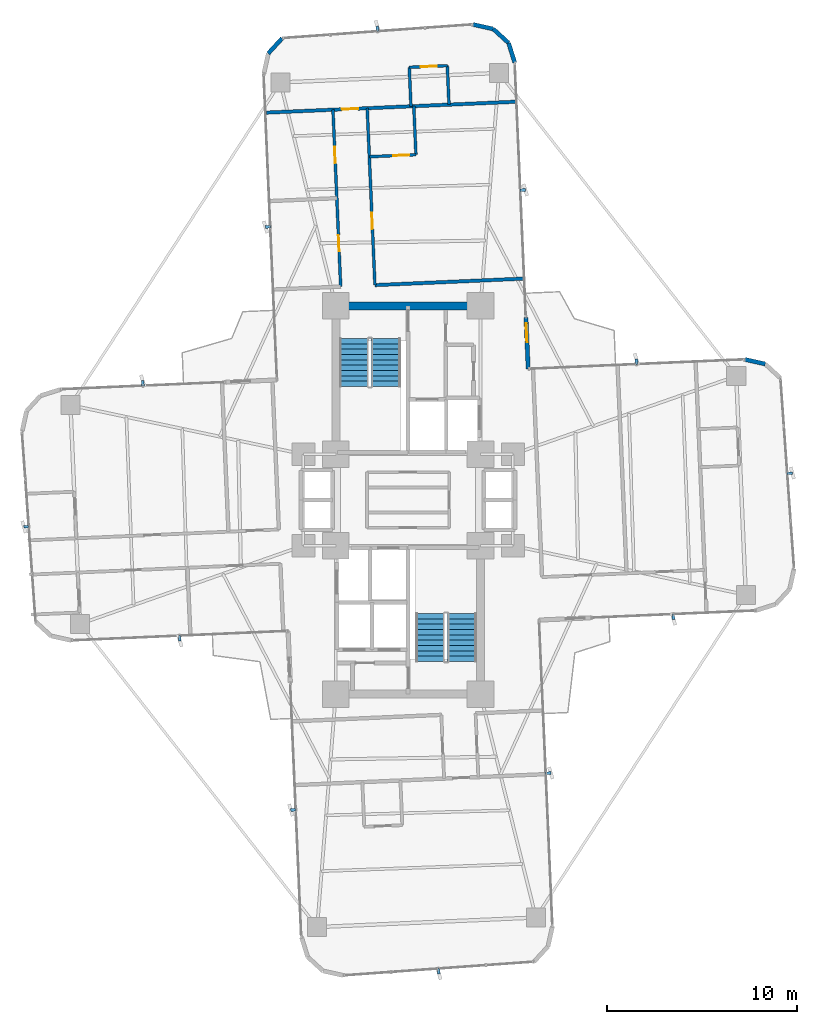
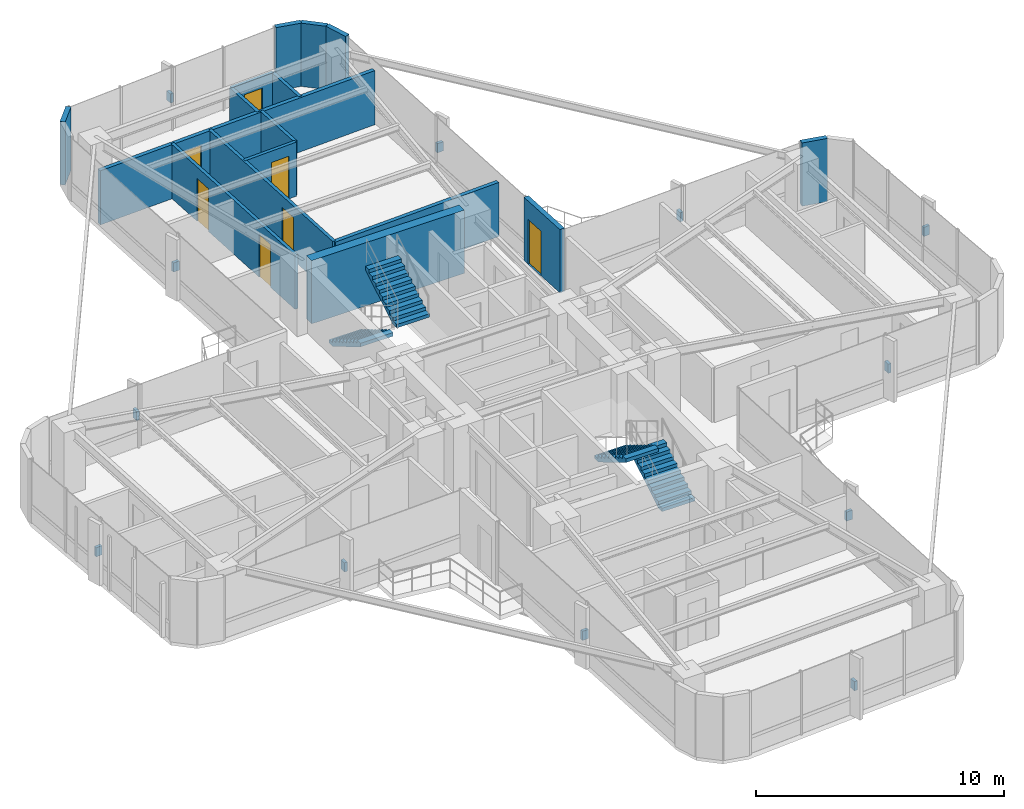
# One storey, part 25 of 26: 16 walls, 12 discrete accessories, 7 doors, 4 stair flights, 7 openings, 2 elements without a shape of their own.
"""IFC4 building model written with IfcOpenShell, lengths in metres."""

from ifc_helpers import new_model, si_unit, direction, frame, frame_2d, origin, origin_2d, place, context, subcontext, project, spatial, polyline, rectangle, outline, extrude, source, transform, mapped, material, layer, layer_set, type_object, element, fill, aggregate, save


model = new_model("IFC4")

# Units and contexts
model_context = context("Model", 3, precision=1e-05, world=origin(), true_north=direction((0.0, 1.0)))
body_context = subcontext(model_context, "Body", "Model", "MODEL_VIEW")
ifc_project = project(units=[si_unit("LENGTHUNIT", "METRE"), si_unit("AREAUNIT", "SQUARE_METRE"), si_unit("VOLUMEUNIT", "CUBIC_METRE"), si_unit("PLANEANGLEUNIT", "RADIAN"), si_unit("MASSUNIT", "GRAM", prefix="KILO")], contexts=[model_context])

# Site, building, storey
site_placement = place(None, origin())
site = spatial("IfcSite", under=ifc_project, at=site_placement, CompositionType="ELEMENT")
building_placement = place(site_placement, origin())
building = spatial("IfcBuilding", under=site, at=building_placement, Name="Sahyath Konkavel Grand Hotel", CompositionType="ELEMENT")
storey_placement = place(building_placement, frame((0.0, 0.0, 124.85009765625)))
storey = spatial("IfcBuildingStorey", under=building, at=storey_placement, Name="L34", CompositionType="ELEMENT", Elevation=124.85009765625)

# Walls
ifc_material_1 = material(Name="Concrete C50/60", Category="concrete")
ifc_layer_1 = layer(ifc_material_1, 0.419921875)
ifc_layer_set_1 = layer_set([ifc_layer_1], Name="Concrete C50/60")
wall_type_1 = type_object("IfcWallType", Name="CWALL-420", PredefinedType="SHEAR", material=ifc_layer_set_1)
wall_1_placement = place(storey_placement, frame((-3.550048828125, 10.199951171875, 0.0), z_axis=(0.0, 0.0, 1.0), x_axis=(1.0, 0.0, 0.0)))
element("IfcWall", 1, at=wall_1_placement, inside=storey, type_object=wall_type_1, Name="L34 North Core Shear Wall N", PredefinedType="SHEAR", context=body_context, shape_type="SweptSolid", body=[
    extrude(rectangle(XDim=7.10009765625, YDim=0.419921875, at=frame_2d((3.550048828125, 0.0))), origin(), (0.0, 0.0, 1.0), 3.10986328125),
])
ifc_material_2 = material(Name="Warm Buff Sandstone Insulated Concrete C40/50", Category="masonry")
ifc_layer_2 = layer(ifc_material_2, 0.219970703125)
ifc_layer_set_2 = layer_set([ifc_layer_2], Name="Warm Buff Sandstone Insulated Concrete C40/50")
wall_type_2 = type_object("IfcWallType", Name="WLL-BALC-THRESH", PredefinedType="STANDARD", material=ifc_layer_set_2)
wall_2_placement = place(storey_placement, frame((18.75634765625, 7.1435546875, 0.0), z_axis=(0.0, 0.0, 1.0), x_axis=(-0.976282085775, 0.216502399514, 0.0)))
element("IfcWall", 2, at=wall_2_placement, inside=storey, type_object=wall_type_2, Name="L34 Rounded Corner Sandstone Pier 6", PredefinedType="STANDARD", context=body_context, shape_type="SweptSolid", body=[
    extrude(rectangle(XDim=1.087158203125, YDim=0.219970703125, at=frame_2d((0.54345703125, 0.0))), origin(), (0.0, 0.0, 1.0), 3.10986328125),
])

# Wall, opening, door
wall_3_placement = place(storey_placement, frame((6.305908203125, 6.881591796875, 0.0), z_axis=(0.0, 0.0, 1.0), x_axis=(-0.043672655174, 0.999045894436, 0.0)))
wall_3 = element("IfcWall", 3, at=wall_3_placement, inside=storey, type_object=wall_type_2, Name="L34 Winter-Garden Threshold Wall 8", PredefinedType="STANDARD", context=body_context, shape_type="SweptSolid", body=[
    extrude(rectangle(XDim=2.7001953125, YDim=0.219970703125, at=frame_2d((1.35009765625, 0.0))), origin(), (0.0, 0.0, 1.0), 3.10986328125),
])
opening_1_placement = place(wall_3_placement, frame((1.39990234375, 0.0, 0.0)))
opening_1 = element("IfcOpeningElement", 4, at=opening_1_placement, cuts=wall_3, Name="Opening D-TR1", PredefinedType="OPENING", context=body_context, shape_type="SweptSolid", body=[
    extrude(rectangle(XDim=1.0, YDim=2.199951171875, at=frame_2d((0.5, 1.10009765625))), frame((0.0, 0.1201171875, 0.0), z_axis=(0.0, -1.0, 0.0), x_axis=(1.0, 0.0, 0.0)), (0.0, 0.0, 1.0), 0.239990234375),
])
ifc_material_3 = material(Name="Anodised Bronze Aluminium & Low-E Glazing", Category="aluminium")
door_type_1 = type_object("IfcDoorType", Name="DR-TERRACE-1000", OperationType="NOTDEFINED", PredefinedType="DOOR", material=ifc_material_3)
shared_shape_1 = source(origin(), body_context, "Body", "SweptSolid", [
    extrude(rectangle(XDim=1.0, YDim=0.050048828125, at=origin_2d()), origin(), (0.0, 0.0, 1.0), 2.199951171875),
])
door_1_placement = place(opening_1_placement, frame((0.5, 0.0, 0.0)))
door_1 = element("IfcDoor", 5, at=door_1_placement, inside=storey, type_object=door_type_1, Name="L34 Winter-Garden Terrace Door 8", OperationType="SINGLE_SWING_LEFT", OverallHeight=2.199951171875, OverallWidth=1.0, PredefinedType="DOOR", context=body_context, shape_type="MappedRepresentation", body=[
    mapped(shared_shape_1, transform((0.0, 0.0, 0.0), scale=1.0)),
])
fill(opening_1, door_1)

# Walls
wall_4_placement = place(storey_placement, frame((5.603515625, 22.96630859375, 0.0), z_axis=(0.0, 0.0, 1.0), x_axis=(-0.300755105707, 0.953701403161, 0.0)))
element("IfcWall", 6, at=wall_4_placement, inside=storey, type_object=wall_type_2, Name="L34 Rounded Corner Sandstone Pier 9", PredefinedType="STANDARD", context=body_context, shape_type="SweptSolid", body=[
    extrude(rectangle(XDim=1.0869140625, YDim=0.219970703125, at=frame_2d((0.54345703125, 0.0))), origin(), (0.0, 0.0, 1.0), 3.10986328125),
])
wall_5_placement = place(storey_placement, frame((5.276611328125, 24.0029296875, 0.0), z_axis=(0.0, 0.0, 1.0), x_axis=(-0.737312600672, 0.675551721847, 0.0)))
element("IfcWall", 7, at=wall_5_placement, inside=storey, type_object=wall_type_2, Name="L34 Rounded Corner Sandstone Pier 10", PredefinedType="STANDARD", context=body_context, shape_type="SweptSolid", body=[
    extrude(rectangle(XDim=1.087158203125, YDim=0.219970703125, at=frame_2d((0.54345703125, 0.0))), origin(), (0.0, 0.0, 1.0), 3.10986328125),
])
for number, where, z_axis, x_axis, name in (
    (8, (4.47509765625, 24.7373046875, 0.0), (0.0, 0.0, 1.0), (-0.976271555154, 0.216549880158, 0.0), "L34 Rounded Corner Sandstone Pier 11"),
    (9, (-6.6142578125, 24.253173828125, 0.0), (0.0, 0.0, 1.0), (-0.675663596772, -0.737210081318, 0.0), "L34 Rounded Corner Sandstone Pier 13"),
):
    element("IfcWall", number, at=place(storey_placement, frame(where, z_axis=z_axis, x_axis=x_axis)), inside=storey, type_object=wall_type_2, Name=name, PredefinedType="STANDARD", context=body_context, shape_type="SweptSolid", body=[
        extrude(rectangle(XDim=1.0869140625, YDim=0.219970703125, at=frame_2d((0.54345703125, 0.0))), origin(), (0.0, 0.0, 1.0), 3.10986328125),
    ])
ifc_material_4 = material(Name="Twin-Stud Acoustic Gypsum Plasterboard Partition")
ifc_layer_3 = layer(ifc_material_4, 0.179931640625)
ifc_layer_set_3 = layer_set([ifc_layer_3], Name="Twin-Stud Acoustic Gypsum Plasterboard Partition")
wall_type_3 = type_object("IfcWallType", Name="WLL-DEMISE-180", PredefinedType="PARTITIONING", material=ifc_layer_set_3)
wall_6_placement = place(storey_placement, frame((6.048583984375, 11.625, 0.0), z_axis=(0.0, 0.0, 1.0), x_axis=(-0.999047634936, -0.043632821702, 0.0)))
element("IfcWall", 10, at=wall_6_placement, inside=storey, type_object=wall_type_3, Name="L34 Partition N-INR", PredefinedType="PARTITIONING", context=body_context, shape_type="SweptSolid", body=[
    extrude(rectangle(XDim=7.7998046875, YDim=0.179931640625, at=frame_2d((3.89990234375, 0.0))), origin(), (0.0, 0.0, 1.0), 2.659912109375),
])

# Wall, opening, door
wall_7_placement = place(storey_placement, frame((5.64306640625, 20.916015625, 0.0), z_axis=(0.0, 0.0, 1.0), x_axis=(-0.999047841598, -0.043628089563, 0.0)))
wall_7 = element("IfcWall", 11, at=wall_7_placement, inside=storey, type_object=wall_type_3, Name="L34 Partition N-NTIP-END", PredefinedType="PARTITIONING", context=body_context, shape_type="SweptSolid", body=[
    extrude(rectangle(XDim=13.10009765625, YDim=0.179931640625, at=frame_2d((6.550048828125, 0.0))), origin(), (0.0, 0.0, 1.0), 2.659912109375),
])
opening_2_placement = place(wall_7_placement, frame((8.27490234375, 0.0, 0.0)))
opening_2 = element("IfcOpeningElement", 12, at=opening_2_placement, cuts=wall_7, Name="Opening D-F06D", PredefinedType="OPENING", context=body_context, shape_type="SweptSolid", body=[
    extrude(rectangle(XDim=0.85009765625, YDim=2.10009765625, at=frame_2d((0.425048828125, 1.050048828125))), frame((0.0, 0.10009765625, 0.0), z_axis=(0.0, -1.0, 0.0), x_axis=(1.0, 0.0, 0.0)), (0.0, 0.0, 1.0), 0.199951171875),
])
ifc_material_5 = material(Name="Fire-Rated Shaft Access Door")
door_type_2 = type_object("IfcDoorType", Name="DR-FD60-850", OperationType="NOTDEFINED", PredefinedType="DOOR", material=ifc_material_5)
shared_shape_2 = source(origin(), body_context, "Body", "SweptSolid", [
    extrude(rectangle(XDim=0.85009765625, YDim=0.050048828125, at=origin_2d()), origin(), (0.0, 0.0, 1.0), 2.10009765625),
])
door_2_placement = place(opening_2_placement, frame((0.425048828125, 0.0, 0.0)))
door_2 = element("IfcDoor", 13, at=door_2_placement, inside=storey, type_object=door_type_2, Name="L34 Door N-NTIP-ED", OperationType="SINGLE_SWING_RIGHT", OverallHeight=2.10009765625, OverallWidth=0.85009765625, PredefinedType="DOOR", context=body_context, shape_type="MappedRepresentation", body=[
    mapped(shared_shape_2, transform((0.0, 0.0, 0.0), scale=1.0)),
])
fill(opening_2, door_2)

# Wall, openings, doors
ifc_material_6 = material(Name="Fire-Rated Gypsum Plasterboard Partition")
ifc_layer_4 = layer(ifc_material_6, 0.14990234375)
ifc_layer_set_4 = layer_set([ifc_layer_4], Name="Fire-Rated Gypsum Plasterboard Partition")
wall_type_4 = type_object("IfcWallType", Name="WLL-PART-150", PredefinedType="PARTITIONING", material=ifc_layer_set_4)
wall_8_placement = place(storey_placement, frame((-3.542236328125, 11.206298828125, 0.0), z_axis=(0.0, 0.0, 1.0), x_axis=(-0.043604692074, 0.999048863084, 0.0)))
wall_8 = element("IfcWall", 14, at=wall_8_placement, inside=storey, type_object=wall_type_4, Name="L34 Partition N-CL", PredefinedType="PARTITIONING", context=body_context, shape_type="SweptSolid", body=[
    extrude(rectangle(XDim=9.2998046875, YDim=0.14990234375, at=frame_2d((4.64990234375, 0.0))), origin(), (0.0, 0.0, 1.0), 2.659912109375),
])
opening_3_placement = place(wall_8_placement, frame((1.85009765625, 0.0, 0.0)))
opening_3 = element("IfcOpeningElement", 15, at=opening_3_placement, cuts=wall_8, Name="Opening D-F06D", PredefinedType="OPENING", context=body_context, shape_type="SweptSolid", body=[
    extrude(rectangle(XDim=0.85009765625, YDim=2.10009765625, at=frame_2d((0.425048828125, 1.050048828125))), frame((0.0, 0.0849609375, 0.0), z_axis=(0.0, -1.0, 0.0), x_axis=(1.0, 0.0, 0.0)), (0.0, 0.0, 1.0), 0.169921875),
])
opening_4_placement = place(wall_8_placement, frame((6.5, 0.0, 0.0)))
opening_4 = element("IfcOpeningElement", 16, at=opening_4_placement, cuts=wall_8, Name="Opening D-F06D", PredefinedType="OPENING", context=body_context, shape_type="SweptSolid", body=[
    extrude(rectangle(XDim=0.85009765625, YDim=2.10009765625, at=frame_2d((0.425048828125, 1.050048828125))), frame((0.0, 0.0849609375, 0.0), z_axis=(0.0, -1.0, 0.0), x_axis=(1.0, 0.0, 0.0)), (0.0, 0.0, 1.0), 0.169921875),
])
door_3_placement = place(opening_3_placement, frame((0.425048828125, 0.0, 0.0)))
door_3 = element("IfcDoor", 17, at=door_3_placement, inside=storey, type_object=door_type_2, Name="L34 Door N-N4L1-D", OperationType="SINGLE_SWING_LEFT", OverallHeight=2.10009765625, OverallWidth=0.85009765625, PredefinedType="DOOR", context=body_context, shape_type="MappedRepresentation", body=[
    mapped(shared_shape_2, transform((0.0, 0.0, 0.0), scale=1.0)),
])
fill(opening_3, door_3)
door_4_placement = place(opening_4_placement, frame((0.425048828125, 0.0, 0.0)))
door_4 = element("IfcDoor", 18, at=door_4_placement, inside=storey, type_object=door_type_2, Name="L34 Door N-N4L2-D", OperationType="SINGLE_SWING_RIGHT", OverallHeight=2.10009765625, OverallWidth=0.85009765625, PredefinedType="DOOR", context=body_context, shape_type="MappedRepresentation", body=[
    mapped(shared_shape_2, transform((0.0, 0.0, 0.0), scale=1.0)),
])
fill(opening_4, door_4)

# Wall, opening, door
wall_9_placement = place(storey_placement, frame((-1.743896484375, 11.28466796875, 0.0), z_axis=(0.0, 0.0, 1.0), x_axis=(-0.043630894187, 0.999047719117, 0.0)))
wall_9 = element("IfcWall", 19, at=wall_9_placement, inside=storey, type_object=wall_type_4, Name="L34 Partition N-CR", PredefinedType="PARTITIONING", context=body_context, shape_type="SweptSolid", body=[
    extrude(rectangle(XDim=9.2998046875, YDim=0.14990234375, at=frame_2d((4.64990234375, 0.0))), origin(), (0.0, 0.0, 1.0), 2.659912109375),
])
opening_5_placement = place(wall_9_placement, frame((2.949951171875, 0.0, 0.0)))
opening_5 = element("IfcOpeningElement", 20, at=opening_5_placement, cuts=wall_9, Name="Opening D-F06D", PredefinedType="OPENING", context=body_context, shape_type="SweptSolid", body=[
    extrude(rectangle(XDim=0.85009765625, YDim=2.10009765625, at=frame_2d((0.425048828125, 1.050048828125))), frame((0.0, 0.0849609375, 0.0), z_axis=(0.0, -1.0, 0.0), x_axis=(1.0, 0.0, 0.0)), (0.0, 0.0, 1.0), 0.169921875),
])
door_5_placement = place(opening_5_placement, frame((0.425048828125, 0.0, 0.0)))
door_5 = element("IfcDoor", 21, at=door_5_placement, inside=storey, type_object=door_type_2, Name="L34 Door N-N4R1-ED", OperationType="SINGLE_SWING_RIGHT", OverallHeight=2.10009765625, OverallWidth=0.85009765625, PredefinedType="DOOR", context=body_context, shape_type="MappedRepresentation", body=[
    mapped(shared_shape_2, transform((0.0, 0.0, 0.0), scale=1.0)),
])
fill(opening_5, door_5)

wall_10_placement = place(storey_placement, frame((-2.038330078125, 18.0283203125, 0.0), z_axis=(0.0, 0.0, 1.0), x_axis=(0.999051263243, 0.043549666039, 0.0)))
wall_10 = element("IfcWall", 22, at=wall_10_placement, inside=storey, type_object=wall_type_4, Name="L34 Partition N-N4R1-BS", PredefinedType="PARTITIONING", context=body_context, shape_type="SweptSolid", body=[
    extrude(rectangle(XDim=2.449951171875, YDim=0.14990234375, at=frame_2d((1.22509765625, 0.0))), origin(), (0.0, 0.0, 1.0), 2.659912109375),
])
opening_6_placement = place(wall_10_placement, frame((1.25, 0.0, 0.0)))
opening_6 = element("IfcOpeningElement", 23, at=opening_6_placement, cuts=wall_10, Name="Opening D-BT85", PredefinedType="OPENING", context=body_context, shape_type="SweptSolid", body=[
    extrude(rectangle(XDim=0.85009765625, YDim=2.10009765625, at=frame_2d((0.425048828125, 1.050048828125))), frame((0.0, 0.0849609375, 0.0), z_axis=(0.0, -1.0, 0.0), x_axis=(1.0, 0.0, 0.0)), (0.0, 0.0, 1.0), 0.169921875),
])
ifc_material_7 = material(Name="Moisture-Resistant Teak Bathroom Door")
door_type_3 = type_object("IfcDoorType", Name="DR-BATH-850", OperationType="NOTDEFINED", PredefinedType="DOOR", material=ifc_material_7)
door_6_placement = place(opening_6_placement, frame((0.425048828125, 0.0, 0.0)))
door_6 = element("IfcDoor", 24, at=door_6_placement, inside=storey, type_object=door_type_3, Name="L34 Door N-N4R1-BD", OperationType="SINGLE_SWING_LEFT", OverallHeight=2.10009765625, OverallWidth=0.85009765625, PredefinedType="DOOR", context=body_context, shape_type="MappedRepresentation", body=[
    mapped(shared_shape_2, transform((0.0, 0.0, 0.0), scale=1.0)),
])
fill(opening_6, door_6)

# Walls
wall_11_placement = place(storey_placement, frame((0.4091796875, 18.135009765625, 0.0), z_axis=(0.0, 0.0, 1.0), x_axis=(-0.043561867058, 0.999050731314, 0.0)))
element("IfcWall", 25, at=wall_11_placement, inside=storey, type_object=wall_type_4, Name="L34 Partition N-N4R1-BF", PredefinedType="PARTITIONING", context=body_context, shape_type="SweptSolid", body=[
    extrude(rectangle(XDim=2.550048828125, YDim=0.14990234375, at=frame_2d((1.27490234375, 0.0))), origin(), (0.0, 0.0, 1.0), 2.659912109375),
])
wall_12_placement = place(storey_placement, frame((0.148193359375, 20.676025390625, 0.0), z_axis=(0.0, 0.0, 1.0), x_axis=(-0.043587097972, 0.999049630844, 0.0)))
element("IfcWall", 26, at=wall_12_placement, inside=storey, type_object=wall_type_4, Name="L34 Partition N-NTIP-BN", PredefinedType="PARTITIONING", context=body_context, shape_type="SweptSolid", body=[
    extrude(rectangle(XDim=2.050048828125, YDim=0.14990234375, at=frame_2d((1.02490234375, 0.0))), origin(), (0.0, 0.0, 1.0), 2.659912109375),
])
wall_13_placement = place(storey_placement, frame((2.146484375, 20.763427734375, 0.0), z_axis=(0.0, 0.0, 1.0), x_axis=(-0.043711161805, 0.9990442104, 0.0)))
element("IfcWall", 27, at=wall_13_placement, inside=storey, type_object=wall_type_4, Name="L34 Partition N-NTIP-BS", PredefinedType="PARTITIONING", context=body_context, shape_type="SweptSolid", body=[
    extrude(rectangle(XDim=2.0498046875, YDim=0.14990234375, at=frame_2d((1.02490234375, 0.0))), origin(), (0.0, 0.0, 1.0), 2.659912109375),
])

# Wall, opening, door
wall_14_placement = place(storey_placement, frame((2.056884765625, 22.811279296875, 0.0), z_axis=(0.0, 0.0, 1.0), x_axis=(-0.999049929275, -0.043580257179, 0.0)))
wall_14 = element("IfcWall", 28, at=wall_14_placement, inside=storey, type_object=wall_type_4, Name="L34 Partition N-NTIP-BE", PredefinedType="PARTITIONING", context=body_context, shape_type="SweptSolid", body=[
    extrude(rectangle(XDim=2.0, YDim=0.14990234375, at=frame_2d((1.0, 0.0))), origin(), (0.0, 0.0, 1.0), 2.659912109375),
])
opening_7_placement = place(wall_14_placement, frame((0.550048828125, 0.0, 0.0)))
opening_7 = element("IfcOpeningElement", 29, at=opening_7_placement, cuts=wall_14, Name="Opening D-BT85", PredefinedType="OPENING", context=body_context, shape_type="SweptSolid", body=[
    extrude(rectangle(XDim=0.85009765625, YDim=2.10009765625, at=frame_2d((0.425048828125, 1.050048828125))), frame((0.0, 0.0849609375, 0.0), z_axis=(0.0, -1.0, 0.0), x_axis=(1.0, 0.0, 0.0)), (0.0, 0.0, 1.0), 0.169921875),
])
door_7_placement = place(opening_7_placement, frame((0.425048828125, 0.0, 0.0)))
door_7 = element("IfcDoor", 30, at=door_7_placement, inside=storey, type_object=door_type_3, Name="L34 Door N-NTIP-BD", OperationType="SINGLE_SWING_LEFT", OverallHeight=2.10009765625, OverallWidth=0.85009765625, PredefinedType="DOOR", context=body_context, shape_type="MappedRepresentation", body=[
    mapped(shared_shape_2, transform((0.0, 0.0, 0.0), scale=1.0)),
])
fill(opening_7, door_7)

# Stair, stair flights
ifc_material_8 = material(Name="Concrete C40/50", Category="concrete")
stair_type = type_object("IfcStairType", Name="STR-ST16-335", PredefinedType="HALF_TURN_STAIR", material=ifc_material_8)
stair_1_placement = place(storey_placement, origin())
stair_1 = element("IfcStair", 31, at=stair_1_placement, inside=storey, type_object=stair_type, Name="L34 North Core Smokeproof Exit Stair ST-1", PredefinedType="HALF_TURN_STAIR")
stair_flight_type = type_object("IfcStairFlightType", Name="STF-ST16-335", PredefinedType="STRAIGHT", material=ifc_material_8)
stair_flight_1_placement = place(storey_placement, frame((-2.840087890625, 8.47998046875, 0.0), z_axis=(0.0, 0.0, 1.0), x_axis=(0.0, -1.0, 0.0)))
stair_flight_1 = element("IfcStairFlight", 32, at=stair_flight_1_placement, type_object=stair_flight_type, Name="ST-1 flight 1", NumberOfRisers=10, NumberOfTreads=9, PredefinedType="STRAIGHT", RiserHeight=0.1675, TreadLength=0.28, context=body_context, shape_type="SweptSolid", body=[
    extrude(outline(polyline([(0.0, 0.0), (0.0, 0.16748046875), (0.280029296875, 0.16748046875), (0.280029296875, 0.3349609375), (0.56005859375, 0.3349609375), (0.56005859375, 0.50244140625), (0.840087890625, 0.50244140625), (0.840087890625, 0.669921875), (1.1201171875, 0.669921875), (1.1201171875, 0.83740234375), (1.39990234375, 0.83740234375), (1.39990234375, 1.0048828125), (1.679931640625, 1.0048828125), (1.679931640625, 1.172607421875), (1.9599609375, 1.172607421875), (1.9599609375, 1.340087890625), (2.239990234375, 1.340087890625), (2.239990234375, 1.507568359375), (2.52001953125, 1.507568359375), (2.52001953125, 1.675048828125), (2.52001953125, 1.332763671875), (0.2919921875, 0.0), (0.0, 0.0)])), frame((0.0, 0.760009765625, 0.0), z_axis=(0.0, -1.0, 0.0), x_axis=(1.0, 0.0, 0.0)), (0.0, 0.0, 1.0), 1.52001953125),
])
stair_flight_2_placement = place(storey_placement, frame((-1.159912109375, 5.9599609375, 1.6748046875), z_axis=(0.0, 0.0, 1.0), x_axis=(0.0, 1.0, 0.0)))
stair_flight_2 = element("IfcStairFlight", 33, at=stair_flight_2_placement, type_object=stair_flight_type, Name="ST-1 flight 2", NumberOfRisers=10, NumberOfTreads=9, PredefinedType="STRAIGHT", RiserHeight=0.1675, TreadLength=0.28, context=body_context, shape_type="SweptSolid", body=[
    extrude(outline(polyline([(0.0, 0.0), (0.0, 0.16748046875), (0.280029296875, 0.16748046875), (0.280029296875, 0.3349609375), (0.56005859375, 0.3349609375), (0.56005859375, 0.50244140625), (0.840087890625, 0.50244140625), (0.840087890625, 0.669921875), (1.1201171875, 0.669921875), (1.1201171875, 0.83740234375), (1.39990234375, 0.83740234375), (1.39990234375, 1.0048828125), (1.679931640625, 1.0048828125), (1.679931640625, 1.172607421875), (1.9599609375, 1.172607421875), (1.9599609375, 1.340087890625), (2.239990234375, 1.340087890625), (2.239990234375, 1.507568359375), (2.52001953125, 1.507568359375), (2.52001953125, 1.675048828125), (2.52001953125, 1.332763671875), (0.2919921875, 0.0), (0.0, 0.0)])), frame((0.0, 0.760009765625, 0.0), z_axis=(0.0, -1.0, 0.0), x_axis=(1.0, 0.0, 0.0)), (0.0, 0.0, 1.0), 1.52001953125),
])
aggregate(stair_1, [stair_flight_1, stair_flight_2])

stair_2_placement = place(storey_placement, origin())
stair_2 = element("IfcStair", 34, at=stair_2_placement, inside=storey, type_object=stair_type, Name="L34 South Core Smokeproof Exit Stair ST-2", PredefinedType="HALF_TURN_STAIR")
stair_flight_3_placement = place(storey_placement, frame((2.840087890625, -8.47998046875, 0.0), z_axis=(0.0, 0.0, 1.0), x_axis=(0.0, 1.0, 0.0)))
stair_flight_3 = element("IfcStairFlight", 35, at=stair_flight_3_placement, type_object=stair_flight_type, Name="ST-2 flight 1", NumberOfRisers=10, NumberOfTreads=9, PredefinedType="STRAIGHT", RiserHeight=0.1675, TreadLength=0.28, context=body_context, shape_type="SweptSolid", body=[
    extrude(outline(polyline([(0.0, 0.0), (0.0, 0.16748046875), (0.280029296875, 0.16748046875), (0.280029296875, 0.3349609375), (0.56005859375, 0.3349609375), (0.56005859375, 0.50244140625), (0.840087890625, 0.50244140625), (0.840087890625, 0.669921875), (1.1201171875, 0.669921875), (1.1201171875, 0.83740234375), (1.39990234375, 0.83740234375), (1.39990234375, 1.0048828125), (1.679931640625, 1.0048828125), (1.679931640625, 1.172607421875), (1.9599609375, 1.172607421875), (1.9599609375, 1.340087890625), (2.239990234375, 1.340087890625), (2.239990234375, 1.507568359375), (2.52001953125, 1.507568359375), (2.52001953125, 1.675048828125), (2.52001953125, 1.332763671875), (0.2919921875, 0.0), (0.0, 0.0)])), frame((0.0, 0.760009765625, 0.0), z_axis=(0.0, -1.0, 0.0), x_axis=(1.0, 0.0, 0.0)), (0.0, 0.0, 1.0), 1.52001953125),
])
stair_flight_4_placement = place(storey_placement, frame((1.159912109375, -5.9599609375, 1.6748046875), z_axis=(0.0, 0.0, 1.0), x_axis=(0.0, -1.0, 0.0)))
stair_flight_4 = element("IfcStairFlight", 36, at=stair_flight_4_placement, type_object=stair_flight_type, Name="ST-2 flight 2", NumberOfRisers=10, NumberOfTreads=9, PredefinedType="STRAIGHT", RiserHeight=0.1675, TreadLength=0.28, context=body_context, shape_type="SweptSolid", body=[
    extrude(outline(polyline([(0.0, 0.0), (0.0, 0.16748046875), (0.280029296875, 0.16748046875), (0.280029296875, 0.3349609375), (0.56005859375, 0.3349609375), (0.56005859375, 0.50244140625), (0.840087890625, 0.50244140625), (0.840087890625, 0.669921875), (1.1201171875, 0.669921875), (1.1201171875, 0.83740234375), (1.39990234375, 0.83740234375), (1.39990234375, 1.0048828125), (1.679931640625, 1.0048828125), (1.679931640625, 1.172607421875), (1.9599609375, 1.172607421875), (1.9599609375, 1.340087890625), (2.239990234375, 1.340087890625), (2.239990234375, 1.507568359375), (2.52001953125, 1.507568359375), (2.52001953125, 1.675048828125), (2.52001953125, 1.332763671875), (0.2919921875, 0.0), (0.0, 0.0)])), frame((0.0, 0.760009765625, 0.0), z_axis=(0.0, -1.0, 0.0), x_axis=(1.0, 0.0, 0.0)), (0.0, 0.0, 1.0), 1.52001953125),
])
aggregate(stair_2, [stair_flight_3, stair_flight_4])

# Discrete accessories
ifc_material_9 = material(Name="Steel E350", Category="steel")
discrete_accessory_type = type_object("IfcDiscreteAccessoryType", Name="ACC-FIN-BRACKET", PredefinedType="BRACKET", material=ifc_material_9)
shared_shape_3 = source(origin(), body_context, "Body", "SweptSolid", [
    extrude(rectangle(XDim=0.280029296875, YDim=0.139892578125, at=origin_2d()), origin(), (0.0, 0.0, 1.0), 0.449951171875),
])
for number, where, z_axis, x_axis, name in (
    (37, (13.9306640625, -6.128173828125, 1.330078125), (0.0, 0.0, 1.0), (0.043601950678, -0.999048982732, 0.0), "L34 Fin Support Bracket F0-1"),
    (38, (20.047119140625, 1.404296875, 1.330078125), (0.0, 0.0, 1.0), (0.997435789037, 0.071567078661, 0.0), "L34 Fin Support Bracket F4-2"),
    (39, (11.99462890625, 7.26025390625, 1.330078125), (0.0, 0.0, 1.0), (-0.043619387365, 0.999048221582, 0.0), "L34 Fin Support Bracket F7-1"),
    (40, (6.025634765625, 16.2783203125, 1.330078125), (0.0, 0.0, 1.0), (0.999048221582, 0.043619387365, 0.0), "L34 Fin Support Bracket F8-1"),
    (41, (-1.609375, 24.74267578125, 1.330078125), (0.0, 0.0, 1.0), (-0.071567078661, 0.997435789037, 0.0), "L34 Fin Support Bracket F12-2"),
    (42, (-7.362548828125, 14.342529296875, 1.330078125), (0.0, 0.0, 1.0), (-0.999048221582, -0.043619387365, 0.0), "L34 Fin Support Bracket F15-1"),
    (43, (-13.9306640625, 6.128173828125, 1.330078125), (0.0, 0.0, 1.0), (-0.043601950678, 0.999048982732, 0.0), "L34 Fin Support Bracket F16-1"),
    (44, (-20.047119140625, -1.404296875, 1.330078125), (0.0, 0.0, 1.0), (-0.997435789037, -0.071567078661, 0.0), "L34 Fin Support Bracket F20-2"),
    (45, (-11.99462890625, -7.26025390625, 1.330078125), (0.0, 0.0, 1.0), (0.043619387365, -0.999048221582, 0.0), "L34 Fin Support Bracket F23-1"),
    (46, (-6.025634765625, -16.2783203125, 1.330078125), (0.0, 0.0, 1.0), (-0.999048221582, -0.043619387365, 0.0), "L34 Fin Support Bracket F24-1"),
    (47, (1.609375, -24.74267578125, 1.330078125), (0.0, 0.0, 1.0), (0.071567078661, -0.997435789037, 0.0), "L34 Fin Support Bracket F28-2"),
    (48, (7.362548828125, -14.342529296875, 1.330078125), (0.0, 0.0, 1.0), (0.999048221582, 0.043619387365, 0.0), "L34 Fin Support Bracket F31-1"),
):
    element("IfcDiscreteAccessory", number, at=place(storey_placement, frame(where, z_axis=z_axis, x_axis=x_axis)), inside=storey, type_object=discrete_accessory_type, Name=name, PredefinedType="BRACKET", context=body_context, shape_type="MappedRepresentation", body=[
        mapped(shared_shape_3, transform((0.0, 0.0, 0.0), scale=1.0)),
    ])

save(model, "model.ifc")
